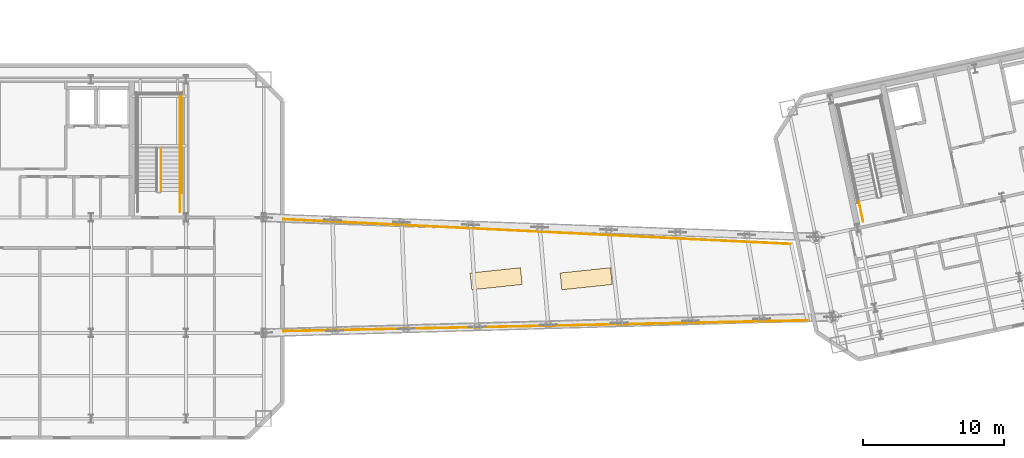
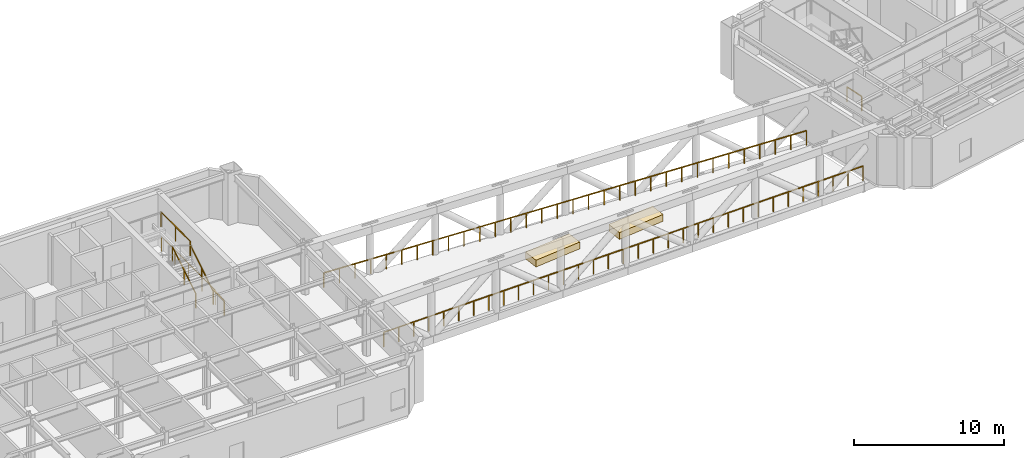
# One storey, part 13 of 14: 8 railings, 2 coverings.
"""IFC4 building model written with IfcOpenShell, lengths in metres."""

import ifcopenshell
import ifcopenshell.guid

model = None  # the IFC model being written
_history = None  # IfcOwnerHistory: only IFC2X3 demands one
_inside = {}  # id of a spatial element -> (the spatial element, [elements in it])
_under = {}  # id of a project, library or spatial element -> (it, [spatial elements below it])
_declared = {}  # id of a project -> (the project, [libraries it declares])
_typed = {}  # id of a type object -> (the type object, [elements of that type])
_made_of = {}  # id of a material, layer set ... -> (it, [elements and type objects made of it])


def new_model(schema):
    """Start an empty IFC model of exactly this schema.

    Asked for "IFC4X3", IfcOpenShell would pick the latest addendum, in which some entities
    have other attributes; the version numbers below select the first issue.
    IFC2X3 requires an IfcOwnerHistory on every rooted entity: one is made here for all.
    """
    global model, _history
    if schema == "IFC4X3":
        model = ifcopenshell.file(schema_version=(4, 3, 0, 0))
    else:
        model = ifcopenshell.file(schema=schema)
    _inside.clear()
    _under.clear()
    _declared.clear()
    _typed.clear()
    _made_of.clear()
    _history = None
    if model.schema == "IFC2X3":
        org = make("IfcOrganization", Name="unknown")
        user = make(
            "IfcPersonAndOrganization",
            ThePerson=make("IfcPerson", FamilyName="unknown"),
            TheOrganization=org,
        )
        app = make(
            "IfcApplication",
            ApplicationDeveloper=org,
            Version="unknown",
            ApplicationFullName="unknown",
            ApplicationIdentifier="unknown",
        )
        _history = make(
            "IfcOwnerHistory",
            OwningUser=user,
            OwningApplication=app,
            ChangeAction="ADDED",
            CreationDate=0,
        )
    return model


def make(cls, **values):
    """One entity of the class cls with the attributes given. An attribute that is None is left unset."""
    return model.create_entity(
        cls, **{name: value for name, value in values.items() if value is not None}
    )


def rooted(cls, **values):
    """An entity with a GlobalId (a new one), such as an element, a storey or a relation."""
    return make(cls, GlobalId=ifcopenshell.guid.new(), OwnerHistory=_history, **values)


def si_unit(unit_type, name, prefix=None):
    """IfcSIUnit, for example si_unit("LENGTHUNIT", "METRE", prefix="MILLI")."""
    return make("IfcSIUnit", UnitType=unit_type, Prefix=prefix, Name=name)


def assignment(units):
    """IfcUnitAssignment: the units of a project."""
    return None if units is None else make("IfcUnitAssignment", Units=units)


def point(xyz):
    """IfcCartesianPoint."""
    return None if xyz is None else make("IfcCartesianPoint", Coordinates=xyz)


def direction(xyz):
    """IfcDirection."""
    return None if xyz is None else make("IfcDirection", DirectionRatios=xyz)


def frame(location, z_axis=None, x_axis=None):
    """IfcAxis2Placement3D, a coordinate frame: its origin and axes. An axis left out is left unset."""
    return make(
        "IfcAxis2Placement3D",
        Location=point(location),
        Axis=direction(z_axis),
        RefDirection=direction(x_axis),
    )


def frame_2d(location, x_axis=None):
    """IfcAxis2Placement2D, a coordinate frame in the plane: its origin and x axis."""
    return make(
        "IfcAxis2Placement2D", Location=point(location), RefDirection=direction(x_axis)
    )


def origin():
    """The frame at (0, 0, 0) with its axes left unset."""
    return frame((0.0, 0.0, 0.0))


def origin_2d():
    """The frame at (0, 0) in the plane with its x axis left unset."""
    return frame_2d((0.0, 0.0))


def place(relative_to, where):
    """IfcLocalPlacement: puts the frame where relative to a parent placement (None: the world)."""
    return make(
        "IfcLocalPlacement", PlacementRelTo=relative_to, RelativePlacement=where
    )


def context(
    kind, dimensions, precision=None, world=None, true_north=None, identifier=None
):
    """IfcGeometricRepresentationContext, for example the 3D "Model" context."""
    return make(
        "IfcGeometricRepresentationContext",
        ContextIdentifier=identifier,
        ContextType=kind,
        CoordinateSpaceDimension=dimensions,
        Precision=precision,
        WorldCoordinateSystem=world,
        TrueNorth=true_north,
    )


def subcontext(parent, identifier, kind, view, scale=None):
    """IfcGeometricRepresentationSubContext, for example "Body" below "Model"."""
    return make(
        "IfcGeometricRepresentationSubContext",
        ContextIdentifier=identifier,
        ContextType=kind,
        ParentContext=parent,
        TargetScale=scale,
        TargetView=view,
    )


def project(units=None, contexts=None):
    """IfcProject with its units and contexts."""
    return rooted(
        "IfcProject",
        Name="project",
        RepresentationContexts=contexts,
        UnitsInContext=assignment(units),
    )


def spatial(cls, under=None, at=None, **own):
    """A site, building, storey or space (cls), placed at a placement, below another one or the project."""
    s = rooted(cls, ObjectPlacement=at, **own)
    if under is not None:
        _under.setdefault(under.id(), (under, []))[1].append(s)
    return s


def profile(cls, at=None, kind="AREA", **sizes):
    """A parametric profile (cls). Its sizes go by their IFC names, for example OverallWidth=200.0."""
    return make(cls, ProfileType=kind, Position=at, **sizes)


def rectangle(**sizes):
    """IfcRectangleProfileDef."""
    return profile("IfcRectangleProfileDef", **sizes)


def extrude(swept, where, along, depth):
    """IfcExtrudedAreaSolid: the profile swept, set in the frame where, extruded along a direction by depth."""
    return make(
        "IfcExtrudedAreaSolid",
        SweptArea=swept,
        Position=where,
        ExtrudedDirection=direction(along),
        Depth=depth,
    )


def shape(context_of_items, identifier, shape_type, items):
    """IfcShapeRepresentation: the items that make up one representation, for example the "Body"."""
    return make(
        "IfcShapeRepresentation",
        ContextOfItems=context_of_items,
        RepresentationIdentifier=identifier,
        RepresentationType=shape_type,
        Items=items,
    )


def material(Name=None, Category=None):
    """IfcMaterial."""
    return make("IfcMaterial", Name=Name, Category=Category)


def layer(
    of_material, thickness, ventilated=None, Name=None, Category=None, Priority=None
):
    """IfcMaterialLayer: one layer of a wall or slab, of a material (None: an air gap)."""
    return make(
        "IfcMaterialLayer",
        Material=of_material,
        LayerThickness=thickness,
        IsVentilated=ventilated,
        Name=Name,
        Category=Category,
        Priority=Priority,
    )


def layer_set(layers, Name=None):
    """IfcMaterialLayerSet."""
    return make("IfcMaterialLayerSet", MaterialLayers=layers, LayerSetName=Name)


def made_of(thing, what):
    """Note that an element or type object is made of a material, layer set ...; save() writes the relation."""
    if what is not None:
        _made_of.setdefault(what.id(), (what, []))[1].append(thing)
    return thing


def type_object(cls, material=None, **own):
    """A type object (cls), such as IfcWallType, which elements share."""
    return made_of(rooted(cls, **own), material)


def element(
    cls,
    number,
    at=None,
    inside=None,
    cuts=None,
    type_object=None,
    material=None,
    context=None,
    identifier="Body",
    shape_type=None,
    held_by="IfcProductDefinitionShape",
    body=None,
    shapes=None,
    **own,
):
    """One element of the class cls, such as IfcWall. Its Tag is "e" and its number.

    at: its placement. inside: the storey or other place that contains it. cuts: it is an
    opening in that element (IfcRelVoidsElement). A single representation is given by context,
    identifier, shape_type and body (its items); several are given by shapes. held_by: the class
    of the entity that holds the representations. save() writes the other relations.
    """
    e = rooted(cls, Tag="e%d" % number, ObjectPlacement=at, **own)
    if body is not None:
        shapes = [shape(context, identifier, shape_type, body)]
    if shapes is not None:
        e.Representation = make(held_by, Representations=shapes)
    if inside is not None:
        _inside.setdefault(inside.id(), (inside, []))[1].append(e)
    if cuts is not None:
        rooted(
            "IfcRelVoidsElement", RelatingBuildingElement=cuts, RelatedOpeningElement=e
        )
    if type_object is not None:
        _typed.setdefault(type_object.id(), (type_object, []))[1].append(e)
    return made_of(e, material)


def aggregate(whole, parts):
    """IfcRelAggregates: a whole, such as a stair, and the parts it consists of."""
    return rooted("IfcRelAggregates", RelatingObject=whole, RelatedObjects=parts)


def save(model, path):
    """Write the relations noted so far, then the file.

    IfcRelAggregates (storeys below a building ...), IfcRelContainedInSpatialStructure (elements
    in a storey), IfcRelDefinesByType, IfcRelAssociatesMaterial and IfcRelDeclares: one each for
    every whole, place, type object, material and project.
    """
    for whole, parts in _under.values():
        aggregate(whole, parts)
    for where, things in _inside.values():
        rooted(
            "IfcRelContainedInSpatialStructure",
            RelatedElements=things,
            RelatingStructure=where,
        )
    for kind, things in _typed.values():
        rooted("IfcRelDefinesByType", RelatedObjects=things, RelatingType=kind)
    for what, things in _made_of.values():
        rooted("IfcRelAssociatesMaterial", RelatedObjects=things, RelatingMaterial=what)
    for by, libraries in _declared.values():
        rooted("IfcRelDeclares", RelatingContext=by, RelatedDefinitions=libraries)
    model.write(path)


model = new_model("IFC4")

# Units and contexts
model_context = context("Model", 3, precision=1e-05, world=origin(), true_north=direction((0.0, 1.0)))
body_context = subcontext(model_context, "Body", "Model", "MODEL_VIEW")
ifc_project = project(units=[si_unit("LENGTHUNIT", "METRE"), si_unit("AREAUNIT", "SQUARE_METRE"), si_unit("VOLUMEUNIT", "CUBIC_METRE"), si_unit("PLANEANGLEUNIT", "RADIAN"), si_unit("MASSUNIT", "GRAM", prefix="KILO")], contexts=[model_context])

# Site, building, storey
site_placement = place(None, origin())
site = spatial("IfcSite", under=ifc_project, at=site_placement, CompositionType="ELEMENT")
building_placement = place(site_placement, origin())
building = spatial("IfcBuilding", under=site, at=building_placement, Name="Haevon Station Towers", CompositionType="ELEMENT")
storey_placement = place(building_placement, frame((0.0, 0.0, 201.300048828125)))
storey = spatial("IfcBuildingStorey", under=building, at=storey_placement, Name="L55", CompositionType="ELEMENT", Elevation=201.300048828125)

# Railings
ifc_material_1 = material(Name="Steel S355", Category="steel")
railing_type_1 = type_object("IfcRailingType", Name="GRD-EXT1200", PredefinedType="GUARDRAIL", material=ifc_material_1)
railing_1_placement = place(storey_placement, frame((57.929931640625, 30.1201171875, 0.0)))
element("IfcRailing", 1, at=railing_1_placement, inside=storey, type_object=railing_type_1, Name="L55 Sky-Park Observation S Guardrail", PredefinedType="GUARDRAIL", context=body_context, shape_type="SweptSolid", body=[
    extrude(rectangle(XDim=0.048095703125, YDim=0.048095703125, at=origin_2d()), frame((0.0, 0.0, 1.17578125), z_axis=(0.99979134878, 0.020426916195, 0.0), x_axis=(-0.020426916195, 0.99979134878, 0.0)), (0.0, 0.0, 1.0), 37.2421875),
    extrude(rectangle(XDim=0.0419921875, YDim=0.0419921875, at=origin_2d()), origin(), (0.0, 0.0, 1.0), 1.15185546875),
    extrude(rectangle(XDim=0.0419921875, YDim=0.0419921875, at=origin_2d()), frame((1.16357421875, 0.023681640625, 0.0)), (0.0, 0.0, 1.0), 1.15185546875),
    extrude(rectangle(XDim=0.0419921875, YDim=0.0419921875, at=origin_2d()), frame((2.3271484375, 0.047607421875, 0.0)), (0.0, 0.0, 1.0), 1.15185546875),
    extrude(rectangle(XDim=0.0419921875, YDim=0.0419921875, at=origin_2d()), frame((3.49072265625, 0.0712890625, 0.0)), (0.0, 0.0, 1.0), 1.15185546875),
    extrude(rectangle(XDim=0.0419921875, YDim=0.0419921875, at=origin_2d()), frame((4.654296875, 0.09521484375, 0.0)), (0.0, 0.0, 1.0), 1.15185546875),
    extrude(rectangle(XDim=0.0419921875, YDim=0.0419921875, at=origin_2d()), frame((5.81787109375, 0.118896484375, 0.0)), (0.0, 0.0, 1.0), 1.15185546875),
    extrude(rectangle(XDim=0.0419921875, YDim=0.0419921875, at=origin_2d()), frame((6.9814453125, 0.142578125, 0.0)), (0.0, 0.0, 1.0), 1.15185546875),
    extrude(rectangle(XDim=0.0419921875, YDim=0.0419921875, at=origin_2d()), frame((8.14501953125, 0.16650390625, 0.0)), (0.0, 0.0, 1.0), 1.15185546875),
    extrude(rectangle(XDim=0.0419921875, YDim=0.0419921875, at=origin_2d()), frame((9.30859375, 0.190185546875, 0.0)), (0.0, 0.0, 1.0), 1.15185546875),
    extrude(rectangle(XDim=0.0419921875, YDim=0.0419921875, at=origin_2d()), frame((10.47216796875, 0.2138671875, 0.0)), (0.0, 0.0, 1.0), 1.15185546875),
    extrude(rectangle(XDim=0.0419921875, YDim=0.0419921875, at=origin_2d()), frame((11.6357421875, 0.23779296875, 0.0)), (0.0, 0.0, 1.0), 1.15185546875),
    extrude(rectangle(XDim=0.0419921875, YDim=0.0419921875, at=origin_2d()), frame((12.79931640625, 0.261474609375, 0.0)), (0.0, 0.0, 1.0), 1.15185546875),
    extrude(rectangle(XDim=0.0419921875, YDim=0.0419921875, at=origin_2d()), frame((13.962890625, 0.28515625, 0.0)), (0.0, 0.0, 1.0), 1.15185546875),
    extrude(rectangle(XDim=0.0419921875, YDim=0.0419921875, at=origin_2d()), frame((15.12646484375, 0.30908203125, 0.0)), (0.0, 0.0, 1.0), 1.15185546875),
    extrude(rectangle(XDim=0.0419921875, YDim=0.0419921875, at=origin_2d()), frame((16.2900390625, 0.332763671875, 0.0)), (0.0, 0.0, 1.0), 1.15185546875),
    extrude(rectangle(XDim=0.0419921875, YDim=0.0419921875, at=origin_2d()), frame((17.45361328125, 0.356689453125, 0.0)), (0.0, 0.0, 1.0), 1.15185546875),
    extrude(rectangle(XDim=0.0419921875, YDim=0.0419921875, at=origin_2d()), frame((18.6171875, 0.38037109375, 0.0)), (0.0, 0.0, 1.0), 1.15185546875),
    extrude(rectangle(XDim=0.0419921875, YDim=0.0419921875, at=origin_2d()), frame((19.78076171875, 0.404052734375, 0.0)), (0.0, 0.0, 1.0), 1.15185546875),
    extrude(rectangle(XDim=0.0419921875, YDim=0.0419921875, at=origin_2d()), frame((20.9443359375, 0.427978515625, 0.0)), (0.0, 0.0, 1.0), 1.15185546875),
    extrude(rectangle(XDim=0.0419921875, YDim=0.0419921875, at=origin_2d()), frame((22.10791015625, 0.45166015625, 0.0)), (0.0, 0.0, 1.0), 1.15185546875),
    extrude(rectangle(XDim=0.0419921875, YDim=0.0419921875, at=origin_2d()), frame((23.271484375, 0.4755859375, 0.0)), (0.0, 0.0, 1.0), 1.15185546875),
    extrude(rectangle(XDim=0.0419921875, YDim=0.0419921875, at=origin_2d()), frame((24.43505859375, 0.499267578125, 0.0)), (0.0, 0.0, 1.0), 1.15185546875),
    extrude(rectangle(XDim=0.0419921875, YDim=0.0419921875, at=origin_2d()), frame((25.5986328125, 0.52294921875, 0.0)), (0.0, 0.0, 1.0), 1.15185546875),
    extrude(rectangle(XDim=0.0419921875, YDim=0.0419921875, at=origin_2d()), frame((26.76220703125, 0.546875, 0.0)), (0.0, 0.0, 1.0), 1.15185546875),
    extrude(rectangle(XDim=0.0419921875, YDim=0.0419921875, at=origin_2d()), frame((27.92578125, 0.570556640625, 0.0)), (0.0, 0.0, 1.0), 1.15185546875),
    extrude(rectangle(XDim=0.0419921875, YDim=0.0419921875, at=origin_2d()), frame((29.08935546875, 0.59423828125, 0.0)), (0.0, 0.0, 1.0), 1.15185546875),
    extrude(rectangle(XDim=0.0419921875, YDim=0.0419921875, at=origin_2d()), frame((30.2529296875, 0.6181640625, 0.0)), (0.0, 0.0, 1.0), 1.15185546875),
    extrude(rectangle(XDim=0.0419921875, YDim=0.0419921875, at=origin_2d()), frame((31.41650390625, 0.641845703125, 0.0)), (0.0, 0.0, 1.0), 1.15185546875),
    extrude(rectangle(XDim=0.0419921875, YDim=0.0419921875, at=origin_2d()), frame((32.580078125, 0.66552734375, 0.0)), (0.0, 0.0, 1.0), 1.15185546875),
    extrude(rectangle(XDim=0.0419921875, YDim=0.0419921875, at=origin_2d()), frame((33.74365234375, 0.689453125, 0.0)), (0.0, 0.0, 1.0), 1.15185546875),
    extrude(rectangle(XDim=0.0419921875, YDim=0.0419921875, at=origin_2d()), frame((34.9072265625, 0.713134765625, 0.0)), (0.0, 0.0, 1.0), 1.15185546875),
    extrude(rectangle(XDim=0.0419921875, YDim=0.0419921875, at=origin_2d()), frame((36.07080078125, 0.737060546875, 0.0)), (0.0, 0.0, 1.0), 1.15185546875),
    extrude(rectangle(XDim=0.0419921875, YDim=0.0419921875, at=origin_2d()), frame((37.234375, 0.7607421875, 0.0)), (0.0, 0.0, 1.0), 1.15185546875),
])
railing_2_placement = place(storey_placement, frame((57.929931640625, 38.080078125, 0.0)))
element("IfcRailing", 2, at=railing_2_placement, inside=storey, type_object=railing_type_1, Name="L55 Sky-Park Observation N Guardrail", PredefinedType="GUARDRAIL", context=body_context, shape_type="SweptSolid", body=[
    extrude(rectangle(XDim=0.048095703125, YDim=0.048095703125, at=origin_2d()), frame((0.0, 0.0, 1.17578125), z_axis=(0.998800674, -0.048961348194, 0.0), x_axis=(0.048961348194, 0.998800674, 0.0)), (0.0, 0.0, 1.0), 36.071533203125),
    extrude(rectangle(XDim=0.0419921875, YDim=0.0419921875, at=origin_2d()), origin(), (0.0, 0.0, 1.0), 1.15185546875),
    extrude(rectangle(XDim=0.0419921875, YDim=0.0419921875, at=origin_2d()), frame((1.162109375, -0.056884765625, 0.0)), (0.0, 0.0, 1.0), 1.15185546875),
    extrude(rectangle(XDim=0.0419921875, YDim=0.0419921875, at=origin_2d()), frame((2.324462890625, -0.114013671875, 0.0)), (0.0, 0.0, 1.0), 1.15185546875),
    extrude(rectangle(XDim=0.0419921875, YDim=0.0419921875, at=origin_2d()), frame((3.486572265625, -0.1708984375, 0.0)), (0.0, 0.0, 1.0), 1.15185546875),
    extrude(rectangle(XDim=0.0419921875, YDim=0.0419921875, at=origin_2d()), frame((4.64892578125, -0.227783203125, 0.0)), (0.0, 0.0, 1.0), 1.15185546875),
    extrude(rectangle(XDim=0.0419921875, YDim=0.0419921875, at=origin_2d()), frame((5.81103515625, -0.284912109375, 0.0)), (0.0, 0.0, 1.0), 1.15185546875),
    extrude(rectangle(XDim=0.0419921875, YDim=0.0419921875, at=origin_2d()), frame((6.97314453125, -0.341796875, 0.0)), (0.0, 0.0, 1.0), 1.15185546875),
    extrude(rectangle(XDim=0.0419921875, YDim=0.0419921875, at=origin_2d()), frame((8.135498046875, -0.398681640625, 0.0)), (0.0, 0.0, 1.0), 1.15185546875),
    extrude(rectangle(XDim=0.0419921875, YDim=0.0419921875, at=origin_2d()), frame((9.297607421875, -0.455810546875, 0.0)), (0.0, 0.0, 1.0), 1.15185546875),
    extrude(rectangle(XDim=0.0419921875, YDim=0.0419921875, at=origin_2d()), frame((10.459716796875, -0.5126953125, 0.0)), (0.0, 0.0, 1.0), 1.15185546875),
    extrude(rectangle(XDim=0.0419921875, YDim=0.0419921875, at=origin_2d()), frame((11.6220703125, -0.56982421875, 0.0)), (0.0, 0.0, 1.0), 1.15185546875),
    extrude(rectangle(XDim=0.0419921875, YDim=0.0419921875, at=origin_2d()), frame((12.7841796875, -0.626708984375, 0.0)), (0.0, 0.0, 1.0), 1.15185546875),
    extrude(rectangle(XDim=0.0419921875, YDim=0.0419921875, at=origin_2d()), frame((13.946533203125, -0.68359375, 0.0)), (0.0, 0.0, 1.0), 1.15185546875),
    extrude(rectangle(XDim=0.0419921875, YDim=0.0419921875, at=origin_2d()), frame((15.108642578125, -0.74072265625, 0.0)), (0.0, 0.0, 1.0), 1.15185546875),
    extrude(rectangle(XDim=0.0419921875, YDim=0.0419921875, at=origin_2d()), frame((16.270751953125, -0.797607421875, 0.0)), (0.0, 0.0, 1.0), 1.15185546875),
    extrude(rectangle(XDim=0.0419921875, YDim=0.0419921875, at=origin_2d()), frame((17.43310546875, -0.8544921875, 0.0)), (0.0, 0.0, 1.0), 1.15185546875),
    extrude(rectangle(XDim=0.0419921875, YDim=0.0419921875, at=origin_2d()), frame((18.59521484375, -0.91162109375, 0.0)), (0.0, 0.0, 1.0), 1.15185546875),
    extrude(rectangle(XDim=0.0419921875, YDim=0.0419921875, at=origin_2d()), frame((19.757568359375, -0.968505859375, 0.0)), (0.0, 0.0, 1.0), 1.15185546875),
    extrude(rectangle(XDim=0.0419921875, YDim=0.0419921875, at=origin_2d()), frame((20.919677734375, -1.025390625, 0.0)), (0.0, 0.0, 1.0), 1.15185546875),
    extrude(rectangle(XDim=0.0419921875, YDim=0.0419921875, at=origin_2d()), frame((22.081787109375, -1.08251953125, 0.0)), (0.0, 0.0, 1.0), 1.15185546875),
    extrude(rectangle(XDim=0.0419921875, YDim=0.0419921875, at=origin_2d()), frame((23.244140625, -1.139404296875, 0.0)), (0.0, 0.0, 1.0), 1.15185546875),
    extrude(rectangle(XDim=0.0419921875, YDim=0.0419921875, at=origin_2d()), frame((24.40625, -1.1962890625, 0.0)), (0.0, 0.0, 1.0), 1.15185546875),
    extrude(rectangle(XDim=0.0419921875, YDim=0.0419921875, at=origin_2d()), frame((25.568603515625, -1.25341796875, 0.0)), (0.0, 0.0, 1.0), 1.15185546875),
    extrude(rectangle(XDim=0.0419921875, YDim=0.0419921875, at=origin_2d()), frame((26.730712890625, -1.310302734375, 0.0)), (0.0, 0.0, 1.0), 1.15185546875),
    extrude(rectangle(XDim=0.0419921875, YDim=0.0419921875, at=origin_2d()), frame((27.892822265625, -1.367431640625, 0.0)), (0.0, 0.0, 1.0), 1.15185546875),
    extrude(rectangle(XDim=0.0419921875, YDim=0.0419921875, at=origin_2d()), frame((29.05517578125, -1.42431640625, 0.0)), (0.0, 0.0, 1.0), 1.15185546875),
    extrude(rectangle(XDim=0.0419921875, YDim=0.0419921875, at=origin_2d()), frame((30.21728515625, -1.481201171875, 0.0)), (0.0, 0.0, 1.0), 1.15185546875),
    extrude(rectangle(XDim=0.0419921875, YDim=0.0419921875, at=origin_2d()), frame((31.37939453125, -1.538330078125, 0.0)), (0.0, 0.0, 1.0), 1.15185546875),
    extrude(rectangle(XDim=0.0419921875, YDim=0.0419921875, at=origin_2d()), frame((32.541748046875, -1.59521484375, 0.0)), (0.0, 0.0, 1.0), 1.15185546875),
    extrude(rectangle(XDim=0.0419921875, YDim=0.0419921875, at=origin_2d()), frame((33.703857421875, -1.652099609375, 0.0)), (0.0, 0.0, 1.0), 1.15185546875),
    extrude(rectangle(XDim=0.0419921875, YDim=0.0419921875, at=origin_2d()), frame((34.8662109375, -1.709228515625, 0.0)), (0.0, 0.0, 1.0), 1.15185546875),
    extrude(rectangle(XDim=0.0419921875, YDim=0.0419921875, at=origin_2d()), frame((36.0283203125, -1.76611328125, 0.0)), (0.0, 0.0, 1.0), 1.15185546875),
])
railing_type_2 = type_object("IfcRailingType", Name="GRD-STR1200", PredefinedType="GUARDRAIL", material=ifc_material_1)
railing_3_placement = place(storey_placement, frame((49.219970703125, 40.050048828125, 0.175048828125)))
element("IfcRailing", 3, at=railing_3_placement, inside=storey, type_object=railing_type_2, Name="L55 ST2 Stair Guard 1", PredefinedType="GUARDRAIL", context=body_context, shape_type="SweptSolid", body=[
    extrude(rectangle(XDim=0.048095703125, YDim=0.048095703125, at=origin_2d()), frame((0.0, 0.0, 1.17578125), z_axis=(0.0, 0.848009633417, 0.529980812513), x_axis=(-1.0, 0.0, 0.0)), (0.0, 0.0, 1.0), 3.6318359375),
    extrude(rectangle(XDim=0.0419921875, YDim=0.0419921875, at=origin_2d()), origin(), (0.0, 0.0, 1.0), 1.15185546875),
    extrude(rectangle(XDim=0.0419921875, YDim=0.0419921875, at=origin_2d()), frame((0.0, 1.5400390625, 0.96240234375)), (0.0, 0.0, 1.0), 1.15185546875),
    extrude(rectangle(XDim=0.0419921875, YDim=0.0419921875, at=origin_2d()), frame((0.0, 3.079833984375, 1.9248046875)), (0.0, 0.0, 1.0), 1.15185546875),
])
railing_4_placement = place(storey_placement, frame((50.570068359375, 43.1298828125, 2.099853515625)))
element("IfcRailing", 4, at=railing_4_placement, inside=storey, type_object=railing_type_2, Name="L55 ST2 Stair Guard 3", PredefinedType="GUARDRAIL", context=body_context, shape_type="SweptSolid", body=[
    extrude(rectangle(XDim=0.048095703125, YDim=0.048095703125, at=origin_2d()), frame((0.0, 0.0, 1.17578125), z_axis=(0.0, 1.0, 0.0), x_axis=(-1.0, 0.0, 0.0)), (0.0, 0.0, 1.0), 3.8701171875),
    extrude(rectangle(XDim=0.0419921875, YDim=0.0419921875, at=origin_2d()), origin(), (0.0, 0.0, 1.0), 1.15185546875),
    extrude(rectangle(XDim=0.0419921875, YDim=0.0419921875, at=origin_2d()), frame((0.0, 1.93505859375, 0.0)), (0.0, 0.0, 1.0), 1.15185546875),
    extrude(rectangle(XDim=0.0419921875, YDim=0.0419921875, at=origin_2d()), frame((0.0, 3.8701171875, 0.0)), (0.0, 0.0, 1.0), 1.15185546875),
])
railing_5_placement = place(storey_placement, frame((50.570068359375, 38.60009765625, 0.0)))
element("IfcRailing", 5, at=railing_5_placement, inside=storey, type_object=railing_type_2, Name="L55 ST2 Stair Guard 8", PredefinedType="GUARDRAIL", context=body_context, shape_type="SweptSolid", body=[
    extrude(rectangle(XDim=0.048095703125, YDim=0.048095703125, at=origin_2d()), frame((0.0, 0.0, 1.17578125), z_axis=(0.0, 1.0, 0.0), x_axis=(-1.0, 0.0, 0.0)), (0.0, 0.0, 1.0), 1.449951171875),
    extrude(rectangle(XDim=0.0419921875, YDim=0.0419921875, at=origin_2d()), origin(), (0.0, 0.0, 1.0), 1.15185546875),
    extrude(rectangle(XDim=0.0419921875, YDim=0.0419921875, at=origin_2d()), frame((0.0, 1.449951171875, 0.0)), (0.0, 0.0, 1.0), 1.15185546875),
])
railing_6_placement = place(storey_placement, frame((50.669921875, 39.949951171875, 0.0)))
element("IfcRailing", 6, at=railing_6_placement, inside=storey, type_object=railing_type_2, Name="L55 ST2 Stair Guard 10", PredefinedType="GUARDRAIL", context=body_context, shape_type="SweptSolid", body=[
    extrude(rectangle(XDim=0.048095703125, YDim=0.048095703125, at=origin_2d()), frame((0.0, 0.0, 1.17578125), z_axis=(0.0, 1.0, 0.0), x_axis=(-1.0, 0.0, 0.0)), (0.0, 0.0, 1.0), 7.150146484375),
    extrude(rectangle(XDim=0.0419921875, YDim=0.0419921875, at=origin_2d()), origin(), (0.0, 0.0, 1.0), 1.15185546875),
    extrude(rectangle(XDim=0.0419921875, YDim=0.0419921875, at=origin_2d()), frame((0.0, 1.78759765625, 0.0)), (0.0, 0.0, 1.0), 1.15185546875),
    extrude(rectangle(XDim=0.0419921875, YDim=0.0419921875, at=origin_2d()), frame((0.0, 3.5751953125, 0.0)), (0.0, 0.0, 1.0), 1.15185546875),
    extrude(rectangle(XDim=0.0419921875, YDim=0.0419921875, at=origin_2d()), frame((0.0, 5.362548828125, 0.0)), (0.0, 0.0, 1.0), 1.15185546875),
    extrude(rectangle(XDim=0.0419921875, YDim=0.0419921875, at=origin_2d()), frame((0.0, 7.150146484375, 0.0)), (0.0, 0.0, 1.0), 1.15185546875),
])
railing_7_placement = place(storey_placement, frame((99.12890625, 37.931396484375, 0.0)))
element("IfcRailing", 7, at=railing_7_placement, inside=storey, type_object=railing_type_2, Name="L55 ST3 Stair Guard 9", PredefinedType="GUARDRAIL", context=body_context, shape_type="SweptSolid", body=[
    extrude(rectangle(XDim=0.048095703125, YDim=0.048095703125, at=origin_2d()), frame((0.0, 0.0, 1.17578125), z_axis=(-0.207953405961, 0.978138732977, 0.0), x_axis=(-0.978138732977, -0.207953405961, 0.0)), (0.0, 0.0, 1.0), 1.449951171875),
    extrude(rectangle(XDim=0.0419921875, YDim=0.0419921875, at=origin_2d()), origin(), (0.0, 0.0, 1.0), 1.15185546875),
    extrude(rectangle(XDim=0.0419921875, YDim=0.0419921875, at=origin_2d()), frame((-0.301513671875, 1.418212890625, 0.0)), (0.0, 0.0, 1.0), 1.15185546875),
])
railing_type_3 = type_object("IfcRailingType", Name="HND-STR900", PredefinedType="HANDRAIL", material=ifc_material_1)
railing_8_placement = place(storey_placement, frame((50.570068359375, 40.050048828125, 0.175048828125)))
element("IfcRailing", 8, at=railing_8_placement, inside=storey, type_object=railing_type_3, Name="L55 ST2 Stair Handrail 1", PredefinedType="HANDRAIL", context=body_context, shape_type="SweptSolid", body=[
    extrude(rectangle(XDim=0.048095703125, YDim=0.048095703125, at=origin_2d()), frame((0.0, 0.0, 0.8759765625), z_axis=(0.0, 0.848009633417, 0.529980812513), x_axis=(-1.0, 0.0, 0.0)), (0.0, 0.0, 1.0), 3.6318359375),
    extrude(rectangle(XDim=0.0419921875, YDim=0.0419921875, at=origin_2d()), origin(), (0.0, 0.0, 1.0), 0.851806640625),
    extrude(rectangle(XDim=0.0419921875, YDim=0.0419921875, at=origin_2d()), frame((0.0, 1.5400390625, 0.96240234375)), (0.0, 0.0, 1.0), 0.851806640625),
    extrude(rectangle(XDim=0.0419921875, YDim=0.0419921875, at=origin_2d()), frame((0.0, 3.079833984375, 1.9248046875)), (0.0, 0.0, 1.0), 0.851806640625),
])

# Coverings
ifc_material_2 = material(Name="Architectural planter GRC", Category="concrete")
ifc_layer = layer(ifc_material_2, 0.550048828125)
ifc_layer_set = layer_set([ifc_layer], Name="Architectural planter GRC")
covering_type = type_object("IfcCoveringType", Name="PLN-GRC550", PredefinedType="MOLDING", material=ifc_layer_set)
for number, where, z_axis, x_axis, name in (
    (9, (73.045654296875, 33.8486328125, 0.0), (0.0, 0.0, 1.0), (0.994521895368, 0.104528463268, 0.0), "L55 Sky-Park Observation Deck GRC PLANTER"),
    (10, (79.445556640625, 33.8486328125, 0.0), (0.0, 0.0, 1.0), (0.994521895368, 0.104528463268, 0.0), "L55 Sky-Park Observation Deck GRC PLANTER"),
):
    element("IfcCovering", number, at=place(storey_placement, frame(where, z_axis=z_axis, x_axis=x_axis)), inside=storey, type_object=covering_type, Name=name, PredefinedType="MOLDING", context=body_context, shape_type="SweptSolid", body=[
        extrude(rectangle(XDim=3.60009765625, YDim=1.199951171875, at=origin_2d()), origin(), (0.0, 0.0, 1.0), 0.550048828125),
    ])

save(model, "model.ifc")
